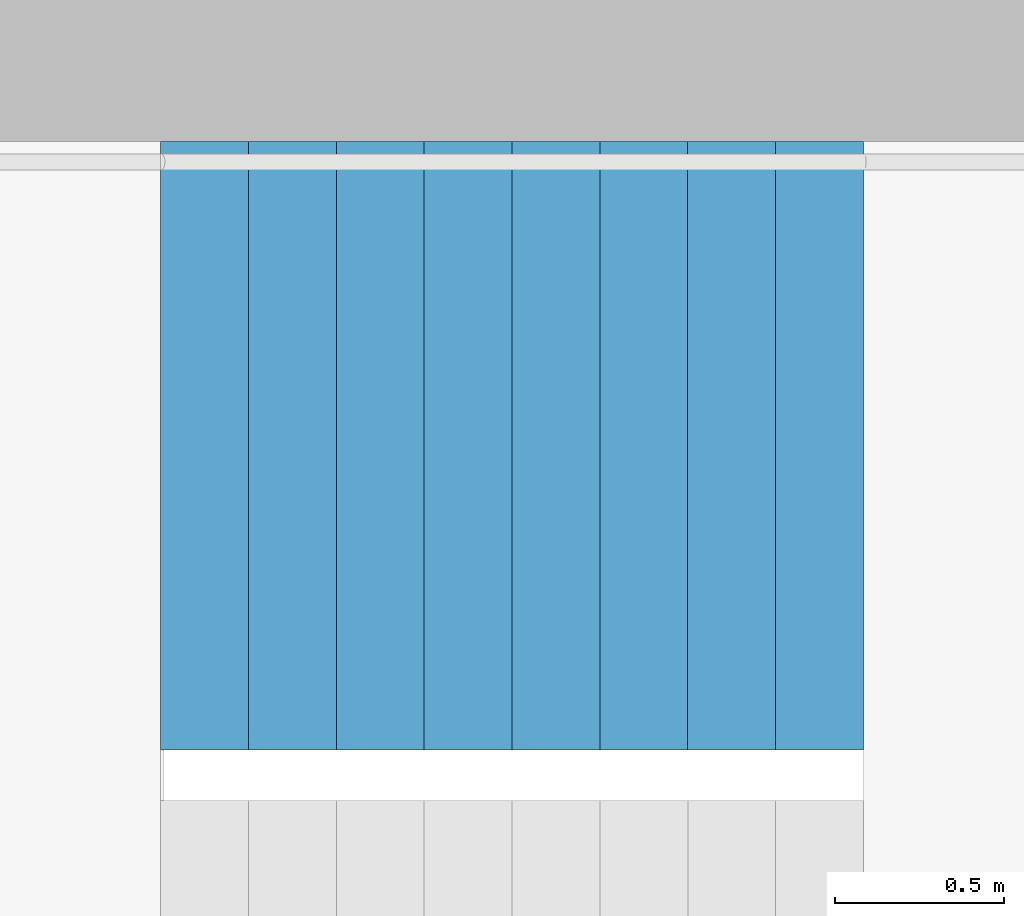
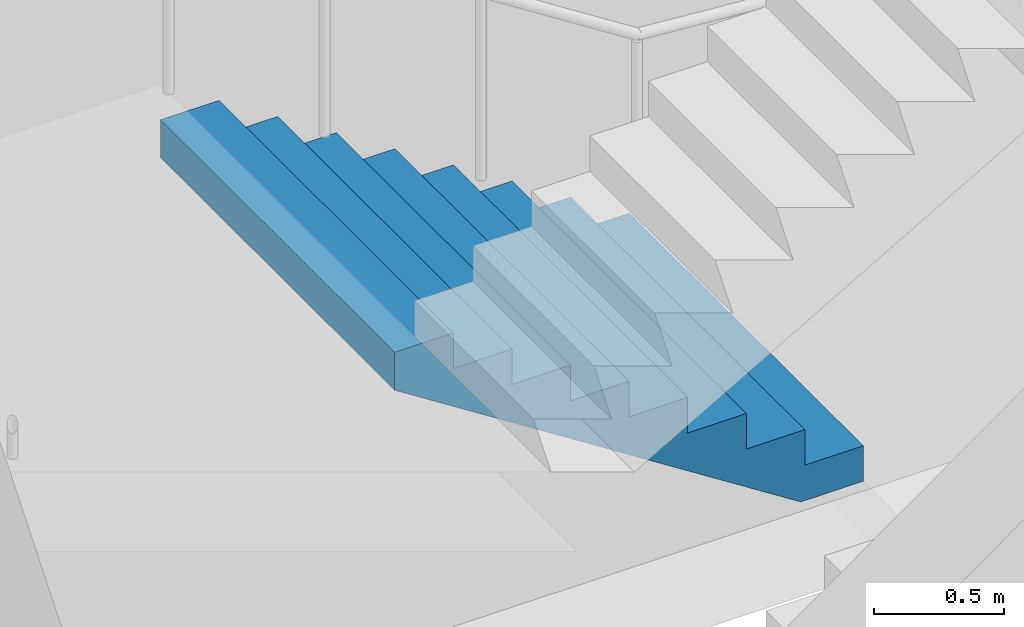
# One storey, part 56 of 100: 1 stair flight, 1 element without a shape of its own.
"""IFC4 building model written with IfcOpenShell, lengths in metres."""

from ifc_helpers import new_model, si_unit, direction, frame, origin, place, context, subcontext, project, spatial, triangles, material, type_object, element, aggregate, save


model = new_model("IFC4")

# Units and contexts
model_context = context("Model", 3, precision=1e-05, world=origin(), true_north=direction((0.0, 1.0)))
body_context = subcontext(model_context, "Body", "Model", "MODEL_VIEW")
ifc_project = project(units=[si_unit("LENGTHUNIT", "METRE"), si_unit("AREAUNIT", "SQUARE_METRE"), si_unit("VOLUMEUNIT", "CUBIC_METRE"), si_unit("PLANEANGLEUNIT", "RADIAN"), si_unit("MASSUNIT", "GRAM", prefix="KILO")], contexts=[model_context])

# Site, building, storey
site_placement = place(None, origin())
site = spatial("IfcSite", under=ifc_project, at=site_placement, CompositionType="ELEMENT")
building_placement = place(site_placement, origin())
building = spatial("IfcBuilding", under=site, at=building_placement, Name="Hakoniwa Tower and Hamabe Station Hall", CompositionType="ELEMENT")
storey_placement = place(building_placement, frame((0.0, 0.0, 9.0)))
storey = spatial("IfcBuildingStorey", under=building, at=storey_placement, Name="L02", CompositionType="ELEMENT", Elevation=9.0)

# Stair, stair flight
ifc_material_1 = material(Name="Concrete C40", Category="concrete")
stair_type = type_object("IfcStairType", Name="ESCAPE STAIR 1800", PredefinedType="HALF_TURN_STAIR", material=ifc_material_1)
stair_placement = place(storey_placement, origin())
stair = element("IfcStair", 1, at=stair_placement, inside=storey, type_object=stair_type, Name="Escape stair ST-1 L02", PredefinedType="HALF_TURN_STAIR")
ifc_material_2 = material(Name="Concrete C40", Category="concrete")
stair_flight_type = type_object("IfcStairFlightType", Name="STAIR FLIGHT 1800", PredefinedType="STRAIGHT", material=ifc_material_2)
stair_flight_placement = place(storey_placement, frame((-22.320068359375, 6.60009765625, 1.5), z_axis=(0.0, 0.0, 1.0), x_axis=(-1.0, 0.0, 0.0)))
stair_flight = element("IfcStairFlight", 2, at=stair_flight_placement, type_object=stair_flight_type, Name="ST-1 flight 2", NumberOfRisers=9, NumberOfTreads=8, PredefinedType="STRAIGHT", RiserHeight=0.166666667, TreadLength=0.26, context=body_context, shape_type="Tessellation", body=[
    triangles([(0.0, 0.89990234375, 0.0), (0.260009765625, 0.89990234375, 0.0), (0.27783203125, 0.89990234375, 0.0), (0.52001953125, 0.89990234375, 0.1552734375), (0.780029296875, 0.89990234375, 0.322021484375), (1.0400390625, 0.89990234375, 0.488525390625), (1.300048828125, 0.89990234375, 0.6552734375), (1.56005859375, 0.89990234375, 0.822021484375), (1.820068359375, 0.89990234375, 0.988525390625), (2.080078125, 0.89990234375, 1.1552734375), (2.080078125, 0.89990234375, 1.333251953125), (1.820068359375, 0.89990234375, 1.333251953125), (1.820068359375, 0.89990234375, 1.166748046875), (1.56005859375, 0.89990234375, 1.166748046875), (1.56005859375, 0.89990234375, 1.0), (1.300048828125, 0.89990234375, 1.0), (1.300048828125, 0.89990234375, 0.833251953125), (1.0400390625, 0.89990234375, 0.833251953125), (1.0400390625, 0.89990234375, 0.666748046875), (0.780029296875, 0.89990234375, 0.666748046875), (0.780029296875, 0.89990234375, 0.5), (0.52001953125, 0.89990234375, 0.5), (0.52001953125, 0.89990234375, 0.333251953125), (0.27783203125, 0.89990234375, 0.333251953125), (0.260009765625, 0.89990234375, 0.333251953125), (0.260009765625, 0.89990234375, 0.166748046875), (0.0, 0.89990234375, 0.166748046875), (0.0, 0.06005859375, 0.0), (0.260009765625, 0.06005859375, 0.0), (0.27783203125, 0.06005859375, 0.0), (0.52001953125, 0.06005859375, 0.1552734375), (0.780029296875, 0.06005859375, 0.322021484375), (1.0400390625, 0.06005859375, 0.488525390625), (1.300048828125, 0.06005859375, 0.6552734375), (1.56005859375, 0.06005859375, 0.822021484375), (1.820068359375, 0.06005859375, 0.988525390625), (2.080078125, 0.06005859375, 1.1552734375), (2.080078125, 0.06005859375, 1.333251953125), (1.820068359375, 0.06005859375, 1.333251953125), (1.820068359375, 0.06005859375, 1.166748046875), (1.56005859375, 0.06005859375, 1.166748046875), (1.56005859375, 0.06005859375, 1.0), (1.300048828125, 0.06005859375, 1.0), (1.300048828125, 0.06005859375, 0.833251953125), (1.0400390625, 0.06005859375, 0.833251953125), (1.0400390625, 0.06005859375, 0.666748046875), (0.780029296875, 0.06005859375, 0.666748046875), (0.780029296875, 0.06005859375, 0.5), (0.52001953125, 0.06005859375, 0.5), (0.52001953125, 0.06005859375, 0.333251953125), (0.27783203125, 0.06005859375, 0.333251953125), (0.260009765625, 0.06005859375, 0.333251953125), (0.260009765625, 0.06005859375, 0.166748046875), (0.0, 0.06005859375, 0.166748046875), (0.0, 0.04296875, 0.0), (0.260009765625, 0.04296875, 0.0), (0.27783203125, 0.04296875, 0.0), (0.52001953125, 0.04296875, 0.1552734375), (0.780029296875, 0.04296875, 0.322021484375), (1.0400390625, 0.04296875, 0.488525390625), (1.300048828125, 0.04296875, 0.6552734375), (1.56005859375, 0.04296875, 0.822021484375), (1.820068359375, 0.04296875, 0.988525390625), (2.080078125, 0.04296875, 1.1552734375), (2.080078125, 0.04296875, 1.333251953125), (1.820068359375, 0.04296875, 1.333251953125), (1.820068359375, 0.04296875, 1.166748046875), (1.56005859375, 0.04296875, 1.166748046875), (1.56005859375, 0.04296875, 1.0), (1.300048828125, 0.04296875, 1.0), (1.300048828125, 0.04296875, 0.833251953125), (1.0400390625, 0.04296875, 0.833251953125), (1.0400390625, 0.04296875, 0.666748046875), (0.780029296875, 0.04296875, 0.666748046875), (0.780029296875, 0.04296875, 0.5), (0.52001953125, 0.04296875, 0.5), (0.52001953125, 0.04296875, 0.333251953125), (0.27783203125, 0.04296875, 0.333251953125), (0.260009765625, 0.04296875, 0.333251953125), (0.260009765625, 0.04296875, 0.166748046875), (0.0, 0.04296875, 0.166748046875), (0.0, 0.025634765625, 0.0), (0.260009765625, 0.025634765625, 0.0), (0.27783203125, 0.025634765625, 0.0), (0.52001953125, 0.025634765625, 0.1552734375), (0.780029296875, 0.025634765625, 0.322021484375), (1.0400390625, 0.025634765625, 0.488525390625), (1.300048828125, 0.025634765625, 0.6552734375), (1.56005859375, 0.025634765625, 0.822021484375), (1.820068359375, 0.025634765625, 0.988525390625), (2.080078125, 0.025634765625, 1.1552734375), (2.080078125, 0.025634765625, 1.333251953125), (1.820068359375, 0.025634765625, 1.333251953125), (1.820068359375, 0.025634765625, 1.166748046875), (1.56005859375, 0.025634765625, 1.166748046875), (1.56005859375, 0.025634765625, 1.0), (1.300048828125, 0.025634765625, 1.0), (1.300048828125, 0.025634765625, 0.833251953125), (1.0400390625, 0.025634765625, 0.833251953125), (1.0400390625, 0.025634765625, 0.666748046875), (0.780029296875, 0.025634765625, 0.666748046875), (0.780029296875, 0.025634765625, 0.5), (0.52001953125, 0.025634765625, 0.5), (0.52001953125, 0.025634765625, 0.333251953125), (0.27783203125, 0.025634765625, 0.333251953125), (0.260009765625, 0.025634765625, 0.333251953125), (0.260009765625, 0.025634765625, 0.166748046875), (0.0, 0.025634765625, 0.166748046875), (0.0, 0.008544921875, 0.0), (0.260009765625, 0.008544921875, 0.0), (0.27783203125, 0.008544921875, 0.0), (0.52001953125, 0.008544921875, 0.1552734375), (0.780029296875, 0.008544921875, 0.322021484375), (1.0400390625, 0.008544921875, 0.488525390625), (1.300048828125, 0.008544921875, 0.6552734375), (1.56005859375, 0.008544921875, 0.822021484375), (1.820068359375, 0.008544921875, 0.988525390625), (2.080078125, 0.008544921875, 1.1552734375), (2.080078125, 0.008544921875, 1.333251953125), (1.820068359375, 0.008544921875, 1.333251953125), (1.820068359375, 0.008544921875, 1.166748046875), (1.56005859375, 0.008544921875, 1.166748046875), (1.56005859375, 0.008544921875, 1.0), (1.300048828125, 0.008544921875, 1.0), (1.300048828125, 0.008544921875, 0.833251953125), (1.0400390625, 0.008544921875, 0.833251953125), (1.0400390625, 0.008544921875, 0.666748046875), (0.780029296875, 0.008544921875, 0.666748046875), (0.780029296875, 0.008544921875, 0.5), (0.52001953125, 0.008544921875, 0.5), (0.52001953125, 0.008544921875, 0.333251953125), (0.27783203125, 0.008544921875, 0.333251953125), (0.260009765625, 0.008544921875, 0.333251953125), (0.260009765625, 0.008544921875, 0.166748046875), (0.0, 0.008544921875, 0.166748046875), (0.0, -0.008544921875, 0.0), (0.260009765625, -0.008544921875, 0.0), (0.27783203125, -0.008544921875, 0.0), (0.52001953125, -0.008544921875, 0.1552734375), (0.780029296875, -0.008544921875, 0.322021484375), (1.0400390625, -0.008544921875, 0.488525390625), (1.300048828125, -0.008544921875, 0.6552734375), (1.56005859375, -0.008544921875, 0.822021484375), (1.820068359375, -0.008544921875, 0.988525390625), (2.080078125, -0.008544921875, 1.1552734375), (2.080078125, -0.008544921875, 1.333251953125), (1.820068359375, -0.008544921875, 1.333251953125), (1.820068359375, -0.008544921875, 1.166748046875), (1.56005859375, -0.008544921875, 1.166748046875), (1.56005859375, -0.008544921875, 1.0), (1.300048828125, -0.008544921875, 1.0), (1.300048828125, -0.008544921875, 0.833251953125), (1.0400390625, -0.008544921875, 0.833251953125), (1.0400390625, -0.008544921875, 0.666748046875), (0.780029296875, -0.008544921875, 0.666748046875), (0.780029296875, -0.008544921875, 0.5), (0.52001953125, -0.008544921875, 0.5), (0.52001953125, -0.008544921875, 0.333251953125), (0.27783203125, -0.008544921875, 0.333251953125), (0.260009765625, -0.008544921875, 0.333251953125), (0.260009765625, -0.008544921875, 0.166748046875), (0.0, -0.008544921875, 0.166748046875), (0.0, -0.025634765625, 0.0), (0.260009765625, -0.025634765625, 0.0), (0.27783203125, -0.025634765625, 0.0), (0.52001953125, -0.025634765625, 0.1552734375), (0.780029296875, -0.025634765625, 0.322021484375), (1.0400390625, -0.025634765625, 0.488525390625), (1.300048828125, -0.025634765625, 0.6552734375), (1.56005859375, -0.025634765625, 0.822021484375), (1.820068359375, -0.025634765625, 0.988525390625), (2.080078125, -0.025634765625, 1.1552734375), (2.080078125, -0.025634765625, 1.333251953125), (1.820068359375, -0.025634765625, 1.333251953125), (1.820068359375, -0.025634765625, 1.166748046875), (1.56005859375, -0.025634765625, 1.166748046875), (1.56005859375, -0.025634765625, 1.0), (1.300048828125, -0.025634765625, 1.0), (1.300048828125, -0.025634765625, 0.833251953125), (1.0400390625, -0.025634765625, 0.833251953125), (1.0400390625, -0.025634765625, 0.666748046875), (0.780029296875, -0.025634765625, 0.666748046875), (0.780029296875, -0.025634765625, 0.5), (0.52001953125, -0.025634765625, 0.5), (0.52001953125, -0.025634765625, 0.333251953125), (0.27783203125, -0.025634765625, 0.333251953125), (0.260009765625, -0.025634765625, 0.333251953125), (0.260009765625, -0.025634765625, 0.166748046875), (0.0, -0.025634765625, 0.166748046875), (0.0, -0.04296875, 0.0), (0.260009765625, -0.04296875, 0.0), (0.27783203125, -0.04296875, 0.0), (0.52001953125, -0.04296875, 0.1552734375), (0.780029296875, -0.04296875, 0.322021484375), (1.0400390625, -0.04296875, 0.488525390625), (1.300048828125, -0.04296875, 0.6552734375), (1.56005859375, -0.04296875, 0.822021484375), (1.820068359375, -0.04296875, 0.988525390625), (2.080078125, -0.04296875, 1.1552734375), (2.080078125, -0.04296875, 1.333251953125), (1.820068359375, -0.04296875, 1.333251953125), (1.820068359375, -0.04296875, 1.166748046875), (1.56005859375, -0.04296875, 1.166748046875), (1.56005859375, -0.04296875, 1.0), (1.300048828125, -0.04296875, 1.0), (1.300048828125, -0.04296875, 0.833251953125), (1.0400390625, -0.04296875, 0.833251953125), (1.0400390625, -0.04296875, 0.666748046875), (0.780029296875, -0.04296875, 0.666748046875), (0.780029296875, -0.04296875, 0.5), (0.52001953125, -0.04296875, 0.5), (0.52001953125, -0.04296875, 0.333251953125), (0.27783203125, -0.04296875, 0.333251953125), (0.260009765625, -0.04296875, 0.333251953125), (0.260009765625, -0.04296875, 0.166748046875), (0.0, -0.04296875, 0.166748046875), (0.0, -0.06005859375, 0.0), (0.260009765625, -0.06005859375, 0.0), (0.27783203125, -0.06005859375, 0.0), (0.52001953125, -0.06005859375, 0.1552734375), (0.780029296875, -0.06005859375, 0.322021484375), (1.0400390625, -0.06005859375, 0.488525390625), (1.300048828125, -0.06005859375, 0.6552734375), (1.56005859375, -0.06005859375, 0.822021484375), (1.820068359375, -0.06005859375, 0.988525390625), (2.080078125, -0.06005859375, 1.1552734375), (2.080078125, -0.06005859375, 1.333251953125), (1.820068359375, -0.06005859375, 1.333251953125), (1.820068359375, -0.06005859375, 1.166748046875), (1.56005859375, -0.06005859375, 1.166748046875), (1.56005859375, -0.06005859375, 1.0), (1.300048828125, -0.06005859375, 1.0), (1.300048828125, -0.06005859375, 0.833251953125), (1.0400390625, -0.06005859375, 0.833251953125), (1.0400390625, -0.06005859375, 0.666748046875), (0.780029296875, -0.06005859375, 0.666748046875), (0.780029296875, -0.06005859375, 0.5), (0.52001953125, -0.06005859375, 0.5), (0.52001953125, -0.06005859375, 0.333251953125), (0.27783203125, -0.06005859375, 0.333251953125), (0.260009765625, -0.06005859375, 0.333251953125), (0.260009765625, -0.06005859375, 0.166748046875), (0.0, -0.06005859375, 0.166748046875), (0.0, -0.89990234375, 0.0), (0.260009765625, -0.89990234375, 0.0), (0.27783203125, -0.89990234375, 0.0), (0.52001953125, -0.89990234375, 0.1552734375), (0.780029296875, -0.89990234375, 0.322021484375), (1.0400390625, -0.89990234375, 0.488525390625), (1.300048828125, -0.89990234375, 0.6552734375), (1.56005859375, -0.89990234375, 0.822021484375), (1.820068359375, -0.89990234375, 0.988525390625), (2.080078125, -0.89990234375, 1.1552734375), (2.080078125, -0.89990234375, 1.333251953125), (1.820068359375, -0.89990234375, 1.333251953125), (1.820068359375, -0.89990234375, 1.166748046875), (1.56005859375, -0.89990234375, 1.166748046875), (1.56005859375, -0.89990234375, 1.0), (1.300048828125, -0.89990234375, 1.0), (1.300048828125, -0.89990234375, 0.833251953125), (1.0400390625, -0.89990234375, 0.833251953125), (1.0400390625, -0.89990234375, 0.666748046875), (0.780029296875, -0.89990234375, 0.666748046875), (0.780029296875, -0.89990234375, 0.5), (0.52001953125, -0.89990234375, 0.5), (0.52001953125, -0.89990234375, 0.333251953125), (0.27783203125, -0.89990234375, 0.333251953125), (0.260009765625, -0.89990234375, 0.333251953125), (0.260009765625, -0.89990234375, 0.166748046875), (0.0, -0.89990234375, 0.166748046875)], [[2, 27, 26], [245, 269, 270], [2, 1, 27], [245, 270, 244], [3, 25, 24], [246, 267, 268], [3, 26, 25], [246, 268, 269], [3, 2, 26], [246, 269, 245], [4, 24, 23], [247, 266, 267], [4, 3, 24], [247, 267, 246], [5, 22, 21], [248, 264, 265], [5, 23, 22], [248, 265, 266], [5, 4, 23], [248, 266, 247], [6, 20, 19], [249, 262, 263], [6, 21, 20], [249, 263, 264], [6, 5, 21], [249, 264, 248], [7, 18, 17], [250, 260, 261], [7, 19, 18], [250, 261, 262], [7, 6, 19], [250, 262, 249], [8, 16, 15], [251, 258, 259], [8, 17, 16], [251, 259, 260], [8, 7, 17], [251, 260, 250], [9, 14, 13], [252, 256, 257], [9, 15, 14], [252, 257, 258], [9, 8, 15], [252, 258, 251], [10, 12, 11], [253, 254, 255], [10, 13, 12], [253, 255, 256], [10, 9, 13], [253, 256, 252], [1, 2, 29], [1, 29, 28], [28, 29, 56], [28, 56, 55], [55, 56, 83], [55, 83, 82], [82, 83, 110], [82, 110, 109], [109, 110, 137], [109, 137, 136], [136, 137, 164], [136, 164, 163], [163, 164, 191], [163, 191, 190], [190, 191, 218], [190, 218, 217], [217, 218, 245], [217, 245, 244], [2, 3, 30], [2, 30, 29], [29, 30, 57], [29, 57, 56], [56, 57, 84], [56, 84, 83], [83, 84, 111], [83, 111, 110], [110, 111, 138], [110, 138, 137], [137, 138, 165], [137, 165, 164], [164, 165, 192], [164, 192, 191], [191, 192, 219], [191, 219, 218], [218, 219, 246], [218, 246, 245], [3, 4, 31], [3, 31, 30], [30, 31, 58], [30, 58, 57], [57, 58, 85], [57, 85, 84], [84, 85, 112], [84, 112, 111], [111, 112, 139], [111, 139, 138], [138, 139, 166], [138, 166, 165], [165, 166, 193], [165, 193, 192], [192, 193, 220], [192, 220, 219], [219, 220, 247], [219, 247, 246], [4, 5, 32], [4, 32, 31], [31, 32, 59], [31, 59, 58], [58, 59, 86], [58, 86, 85], [85, 86, 113], [85, 113, 112], [112, 113, 140], [112, 140, 139], [139, 140, 167], [139, 167, 166], [166, 167, 194], [166, 194, 193], [193, 194, 221], [193, 221, 220], [220, 221, 248], [220, 248, 247], [5, 6, 33], [5, 33, 32], [32, 33, 60], [32, 60, 59], [59, 60, 87], [59, 87, 86], [86, 87, 114], [86, 114, 113], [113, 114, 141], [113, 141, 140], [140, 141, 168], [140, 168, 167], [167, 168, 195], [167, 195, 194], [194, 195, 222], [194, 222, 221], [221, 222, 249], [221, 249, 248], [6, 7, 34], [6, 34, 33], [33, 34, 61], [33, 61, 60], [60, 61, 88], [60, 88, 87], [87, 88, 115], [87, 115, 114], [114, 115, 142], [114, 142, 141], [141, 142, 169], [141, 169, 168], [168, 169, 196], [168, 196, 195], [195, 196, 223], [195, 223, 222], [222, 223, 250], [222, 250, 249], [7, 8, 35], [7, 35, 34], [34, 35, 62], [34, 62, 61], [61, 62, 89], [61, 89, 88], [88, 89, 116], [88, 116, 115], [115, 116, 143], [115, 143, 142], [142, 143, 170], [142, 170, 169], [169, 170, 197], [169, 197, 196], [196, 197, 224], [196, 224, 223], [223, 224, 251], [223, 251, 250], [8, 9, 36], [8, 36, 35], [35, 36, 63], [35, 63, 62], [62, 63, 90], [62, 90, 89], [89, 90, 117], [89, 117, 116], [116, 117, 144], [116, 144, 143], [143, 144, 171], [143, 171, 170], [170, 171, 198], [170, 198, 197], [197, 198, 225], [197, 225, 224], [224, 225, 252], [224, 252, 251], [9, 10, 37], [9, 37, 36], [36, 37, 64], [36, 64, 63], [63, 64, 91], [63, 91, 90], [90, 91, 118], [90, 118, 117], [117, 118, 145], [117, 145, 144], [144, 145, 172], [144, 172, 171], [171, 172, 199], [171, 199, 198], [198, 199, 226], [198, 226, 225], [225, 226, 253], [225, 253, 252], [10, 11, 38], [10, 38, 37], [37, 38, 65], [37, 65, 64], [64, 65, 92], [64, 92, 91], [91, 92, 119], [91, 119, 118], [118, 119, 146], [118, 146, 145], [145, 146, 173], [145, 173, 172], [172, 173, 200], [172, 200, 199], [199, 200, 227], [199, 227, 226], [226, 227, 254], [226, 254, 253], [11, 12, 39], [11, 39, 38], [38, 39, 66], [38, 66, 65], [65, 66, 93], [65, 93, 92], [92, 93, 120], [92, 120, 119], [119, 120, 147], [119, 147, 146], [146, 147, 174], [146, 174, 173], [173, 174, 201], [173, 201, 200], [200, 201, 228], [200, 228, 227], [227, 228, 255], [227, 255, 254], [12, 13, 40], [12, 40, 39], [39, 40, 67], [39, 67, 66], [66, 67, 94], [66, 94, 93], [93, 94, 121], [93, 121, 120], [120, 121, 148], [120, 148, 147], [147, 148, 175], [147, 175, 174], [174, 175, 202], [174, 202, 201], [201, 202, 229], [201, 229, 228], [228, 229, 256], [228, 256, 255], [13, 14, 41], [13, 41, 40], [40, 41, 68], [40, 68, 67], [67, 68, 95], [67, 95, 94], [94, 95, 122], [94, 122, 121], [121, 122, 149], [121, 149, 148], [148, 149, 176], [148, 176, 175], [175, 176, 203], [175, 203, 202], [202, 203, 230], [202, 230, 229], [229, 230, 257], [229, 257, 256], [14, 15, 42], [14, 42, 41], [41, 42, 69], [41, 69, 68], [68, 69, 96], [68, 96, 95], [95, 96, 123], [95, 123, 122], [122, 123, 150], [122, 150, 149], [149, 150, 177], [149, 177, 176], [176, 177, 204], [176, 204, 203], [203, 204, 231], [203, 231, 230], [230, 231, 258], [230, 258, 257], [15, 16, 43], [15, 43, 42], [42, 43, 70], [42, 70, 69], [69, 70, 97], [69, 97, 96], [96, 97, 124], [96, 124, 123], [123, 124, 151], [123, 151, 150], [150, 151, 178], [150, 178, 177], [177, 178, 205], [177, 205, 204], [204, 205, 232], [204, 232, 231], [231, 232, 259], [231, 259, 258], [16, 17, 44], [16, 44, 43], [43, 44, 71], [43, 71, 70], [70, 71, 98], [70, 98, 97], [97, 98, 125], [97, 125, 124], [124, 125, 152], [124, 152, 151], [151, 152, 179], [151, 179, 178], [178, 179, 206], [178, 206, 205], [205, 206, 233], [205, 233, 232], [232, 233, 260], [232, 260, 259], [17, 18, 45], [17, 45, 44], [44, 45, 72], [44, 72, 71], [71, 72, 99], [71, 99, 98], [98, 99, 126], [98, 126, 125], [125, 126, 153], [125, 153, 152], [152, 153, 180], [152, 180, 179], [179, 180, 207], [179, 207, 206], [206, 207, 234], [206, 234, 233], [233, 234, 261], [233, 261, 260], [18, 19, 46], [18, 46, 45], [45, 46, 73], [45, 73, 72], [72, 73, 100], [72, 100, 99], [99, 100, 127], [99, 127, 126], [126, 127, 154], [126, 154, 153], [153, 154, 181], [153, 181, 180], [180, 181, 208], [180, 208, 207], [207, 208, 235], [207, 235, 234], [234, 235, 262], [234, 262, 261], [19, 20, 47], [19, 47, 46], [46, 47, 74], [46, 74, 73], [73, 74, 101], [73, 101, 100], [100, 101, 128], [100, 128, 127], [127, 128, 155], [127, 155, 154], [154, 155, 182], [154, 182, 181], [181, 182, 209], [181, 209, 208], [208, 209, 236], [208, 236, 235], [235, 236, 263], [235, 263, 262], [20, 21, 48], [20, 48, 47], [47, 48, 75], [47, 75, 74], [74, 75, 102], [74, 102, 101], [101, 102, 129], [101, 129, 128], [128, 129, 156], [128, 156, 155], [155, 156, 183], [155, 183, 182], [182, 183, 210], [182, 210, 209], [209, 210, 237], [209, 237, 236], [236, 237, 264], [236, 264, 263], [21, 22, 49], [21, 49, 48], [48, 49, 76], [48, 76, 75], [75, 76, 103], [75, 103, 102], [102, 103, 130], [102, 130, 129], [129, 130, 157], [129, 157, 156], [156, 157, 184], [156, 184, 183], [183, 184, 211], [183, 211, 210], [210, 211, 238], [210, 238, 237], [237, 238, 265], [237, 265, 264], [22, 23, 50], [22, 50, 49], [49, 50, 77], [49, 77, 76], [76, 77, 104], [76, 104, 103], [103, 104, 131], [103, 131, 130], [130, 131, 158], [130, 158, 157], [157, 158, 185], [157, 185, 184], [184, 185, 212], [184, 212, 211], [211, 212, 239], [211, 239, 238], [238, 239, 266], [238, 266, 265], [23, 24, 51], [23, 51, 50], [50, 51, 78], [50, 78, 77], [77, 78, 105], [77, 105, 104], [104, 105, 132], [104, 132, 131], [131, 132, 159], [131, 159, 158], [158, 159, 186], [158, 186, 185], [185, 186, 213], [185, 213, 212], [212, 213, 240], [212, 240, 239], [239, 240, 267], [239, 267, 266], [24, 25, 52], [24, 52, 51], [51, 52, 79], [51, 79, 78], [78, 79, 106], [78, 106, 105], [105, 106, 133], [105, 133, 132], [132, 133, 160], [132, 160, 159], [159, 160, 187], [159, 187, 186], [186, 187, 214], [186, 214, 213], [213, 214, 241], [213, 241, 240], [240, 241, 268], [240, 268, 267], [25, 26, 53], [25, 53, 52], [52, 53, 80], [52, 80, 79], [79, 80, 107], [79, 107, 106], [106, 107, 134], [106, 134, 133], [133, 134, 161], [133, 161, 160], [160, 161, 188], [160, 188, 187], [187, 188, 215], [187, 215, 214], [214, 215, 242], [214, 242, 241], [241, 242, 269], [241, 269, 268], [26, 27, 54], [26, 54, 53], [53, 54, 81], [53, 81, 80], [80, 81, 108], [80, 108, 107], [107, 108, 135], [107, 135, 134], [134, 135, 162], [134, 162, 161], [161, 162, 189], [161, 189, 188], [188, 189, 216], [188, 216, 215], [215, 216, 243], [215, 243, 242], [242, 243, 270], [242, 270, 269], [27, 1, 28], [27, 28, 54], [54, 28, 55], [54, 55, 81], [81, 55, 82], [81, 82, 108], [108, 82, 109], [108, 109, 135], [135, 109, 136], [135, 136, 162], [162, 136, 163], [162, 163, 189], [189, 163, 190], [189, 190, 216], [216, 190, 217], [216, 217, 243], [243, 217, 244], [243, 244, 270]], closed=True),
])
aggregate(stair, [stair_flight])

save(model, "model.ifc")
